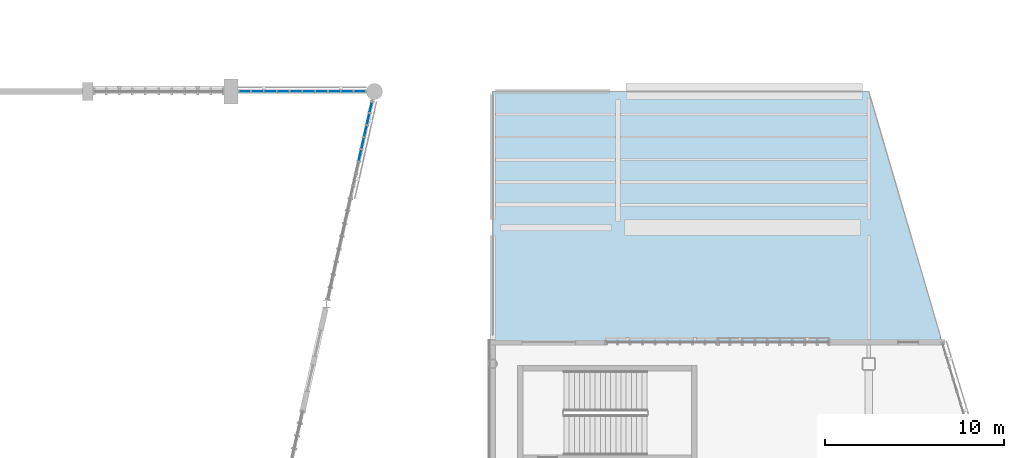
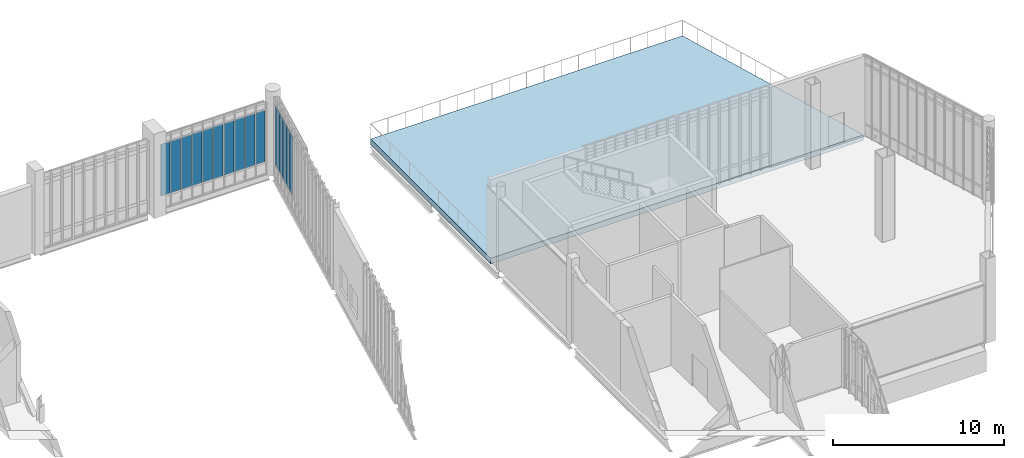
# One storey, part 78 of 135: 15 plates, 1 slab, 2 elements without a shape of their own.
"""IFC4 building model written with IfcOpenShell, lengths in metres."""

import ifcopenshell
import ifcopenshell.guid

model = None  # the IFC model being written
_history = None  # IfcOwnerHistory: only IFC2X3 demands one
_inside = {}  # id of a spatial element -> (the spatial element, [elements in it])
_under = {}  # id of a project, library or spatial element -> (it, [spatial elements below it])
_declared = {}  # id of a project -> (the project, [libraries it declares])
_typed = {}  # id of a type object -> (the type object, [elements of that type])
_made_of = {}  # id of a material, layer set ... -> (it, [elements and type objects made of it])


def new_model(schema):
    """Start an empty IFC model of exactly this schema.

    Asked for "IFC4X3", IfcOpenShell would pick the latest addendum, in which some entities
    have other attributes; the version numbers below select the first issue.
    IFC2X3 requires an IfcOwnerHistory on every rooted entity: one is made here for all.
    """
    global model, _history
    if schema == "IFC4X3":
        model = ifcopenshell.file(schema_version=(4, 3, 0, 0))
    else:
        model = ifcopenshell.file(schema=schema)
    _inside.clear()
    _under.clear()
    _declared.clear()
    _typed.clear()
    _made_of.clear()
    _history = None
    if model.schema == "IFC2X3":
        org = make("IfcOrganization", Name="unknown")
        user = make(
            "IfcPersonAndOrganization",
            ThePerson=make("IfcPerson", FamilyName="unknown"),
            TheOrganization=org,
        )
        app = make(
            "IfcApplication",
            ApplicationDeveloper=org,
            Version="unknown",
            ApplicationFullName="unknown",
            ApplicationIdentifier="unknown",
        )
        _history = make(
            "IfcOwnerHistory",
            OwningUser=user,
            OwningApplication=app,
            ChangeAction="ADDED",
            CreationDate=0,
        )
    return model


def make(cls, **values):
    """One entity of the class cls with the attributes given. An attribute that is None is left unset."""
    return model.create_entity(
        cls, **{name: value for name, value in values.items() if value is not None}
    )


def rooted(cls, **values):
    """An entity with a GlobalId (a new one), such as an element, a storey or a relation."""
    return make(cls, GlobalId=ifcopenshell.guid.new(), OwnerHistory=_history, **values)


def si_unit(unit_type, name, prefix=None):
    """IfcSIUnit, for example si_unit("LENGTHUNIT", "METRE", prefix="MILLI")."""
    return make("IfcSIUnit", UnitType=unit_type, Prefix=prefix, Name=name)


def assignment(units):
    """IfcUnitAssignment: the units of a project."""
    return None if units is None else make("IfcUnitAssignment", Units=units)


def point(xyz):
    """IfcCartesianPoint."""
    return None if xyz is None else make("IfcCartesianPoint", Coordinates=xyz)


def direction(xyz):
    """IfcDirection."""
    return None if xyz is None else make("IfcDirection", DirectionRatios=xyz)


def frame(location, z_axis=None, x_axis=None):
    """IfcAxis2Placement3D, a coordinate frame: its origin and axes. An axis left out is left unset."""
    return make(
        "IfcAxis2Placement3D",
        Location=point(location),
        Axis=direction(z_axis),
        RefDirection=direction(x_axis),
    )


def frame_2d(location, x_axis=None):
    """IfcAxis2Placement2D, a coordinate frame in the plane: its origin and x axis."""
    return make(
        "IfcAxis2Placement2D", Location=point(location), RefDirection=direction(x_axis)
    )


def origin():
    """The frame at (0, 0, 0) with its axes left unset."""
    return frame((0.0, 0.0, 0.0))


def origin_2d():
    """The frame at (0, 0) in the plane with its x axis left unset."""
    return frame_2d((0.0, 0.0))


def place(relative_to, where):
    """IfcLocalPlacement: puts the frame where relative to a parent placement (None: the world)."""
    return make(
        "IfcLocalPlacement", PlacementRelTo=relative_to, RelativePlacement=where
    )


def context(
    kind, dimensions, precision=None, world=None, true_north=None, identifier=None
):
    """IfcGeometricRepresentationContext, for example the 3D "Model" context."""
    return make(
        "IfcGeometricRepresentationContext",
        ContextIdentifier=identifier,
        ContextType=kind,
        CoordinateSpaceDimension=dimensions,
        Precision=precision,
        WorldCoordinateSystem=world,
        TrueNorth=true_north,
    )


def subcontext(parent, identifier, kind, view, scale=None):
    """IfcGeometricRepresentationSubContext, for example "Body" below "Model"."""
    return make(
        "IfcGeometricRepresentationSubContext",
        ContextIdentifier=identifier,
        ContextType=kind,
        ParentContext=parent,
        TargetScale=scale,
        TargetView=view,
    )


def project(units=None, contexts=None):
    """IfcProject with its units and contexts."""
    return rooted(
        "IfcProject",
        Name="project",
        RepresentationContexts=contexts,
        UnitsInContext=assignment(units),
    )


def spatial(cls, under=None, at=None, **own):
    """A site, building, storey or space (cls), placed at a placement, below another one or the project."""
    s = rooted(cls, ObjectPlacement=at, **own)
    if under is not None:
        _under.setdefault(under.id(), (under, []))[1].append(s)
    return s


def polyline(points):
    """IfcPolyline through the points."""
    return make("IfcPolyline", Points=[point(p) for p in points])


def profile(cls, at=None, kind="AREA", **sizes):
    """A parametric profile (cls). Its sizes go by their IFC names, for example OverallWidth=200.0."""
    return make(cls, ProfileType=kind, Position=at, **sizes)


def rectangle(**sizes):
    """IfcRectangleProfileDef."""
    return profile("IfcRectangleProfileDef", **sizes)


def outline(outer, holes=None, kind="AREA"):
    """IfcArbitraryClosedProfileDef: a profile drawn as a closed curve; with holes, ...WithVoids."""
    if holes is None:
        return make("IfcArbitraryClosedProfileDef", ProfileType=kind, OuterCurve=outer)
    return make(
        "IfcArbitraryProfileDefWithVoids",
        ProfileType=kind,
        OuterCurve=outer,
        InnerCurves=holes,
    )


def extrude(swept, where, along, depth):
    """IfcExtrudedAreaSolid: the profile swept, set in the frame where, extruded along a direction by depth."""
    return make(
        "IfcExtrudedAreaSolid",
        SweptArea=swept,
        Position=where,
        ExtrudedDirection=direction(along),
        Depth=depth,
    )


def shape(context_of_items, identifier, shape_type, items):
    """IfcShapeRepresentation: the items that make up one representation, for example the "Body"."""
    return make(
        "IfcShapeRepresentation",
        ContextOfItems=context_of_items,
        RepresentationIdentifier=identifier,
        RepresentationType=shape_type,
        Items=items,
    )


def material(Name=None, Category=None):
    """IfcMaterial."""
    return make("IfcMaterial", Name=Name, Category=Category)


def layer(
    of_material, thickness, ventilated=None, Name=None, Category=None, Priority=None
):
    """IfcMaterialLayer: one layer of a wall or slab, of a material (None: an air gap)."""
    return make(
        "IfcMaterialLayer",
        Material=of_material,
        LayerThickness=thickness,
        IsVentilated=ventilated,
        Name=Name,
        Category=Category,
        Priority=Priority,
    )


def layer_set(layers, Name=None):
    """IfcMaterialLayerSet."""
    return make("IfcMaterialLayerSet", MaterialLayers=layers, LayerSetName=Name)


def made_of(thing, what):
    """Note that an element or type object is made of a material, layer set ...; save() writes the relation."""
    if what is not None:
        _made_of.setdefault(what.id(), (what, []))[1].append(thing)
    return thing


def type_object(cls, material=None, **own):
    """A type object (cls), such as IfcWallType, which elements share."""
    return made_of(rooted(cls, **own), material)


def element(
    cls,
    number,
    at=None,
    inside=None,
    cuts=None,
    type_object=None,
    material=None,
    context=None,
    identifier="Body",
    shape_type=None,
    held_by="IfcProductDefinitionShape",
    body=None,
    shapes=None,
    **own,
):
    """One element of the class cls, such as IfcWall. Its Tag is "e" and its number.

    at: its placement. inside: the storey or other place that contains it. cuts: it is an
    opening in that element (IfcRelVoidsElement). A single representation is given by context,
    identifier, shape_type and body (its items); several are given by shapes. held_by: the class
    of the entity that holds the representations. save() writes the other relations.
    """
    e = rooted(cls, Tag="e%d" % number, ObjectPlacement=at, **own)
    if body is not None:
        shapes = [shape(context, identifier, shape_type, body)]
    if shapes is not None:
        e.Representation = make(held_by, Representations=shapes)
    if inside is not None:
        _inside.setdefault(inside.id(), (inside, []))[1].append(e)
    if cuts is not None:
        rooted(
            "IfcRelVoidsElement", RelatingBuildingElement=cuts, RelatedOpeningElement=e
        )
    if type_object is not None:
        _typed.setdefault(type_object.id(), (type_object, []))[1].append(e)
    return made_of(e, material)


def aggregate(whole, parts):
    """IfcRelAggregates: a whole, such as a stair, and the parts it consists of."""
    return rooted("IfcRelAggregates", RelatingObject=whole, RelatedObjects=parts)


def save(model, path):
    """Write the relations noted so far, then the file.

    IfcRelAggregates (storeys below a building ...), IfcRelContainedInSpatialStructure (elements
    in a storey), IfcRelDefinesByType, IfcRelAssociatesMaterial and IfcRelDeclares: one each for
    every whole, place, type object, material and project.
    """
    for whole, parts in _under.values():
        aggregate(whole, parts)
    for where, things in _inside.values():
        rooted(
            "IfcRelContainedInSpatialStructure",
            RelatedElements=things,
            RelatingStructure=where,
        )
    for kind, things in _typed.values():
        rooted("IfcRelDefinesByType", RelatedObjects=things, RelatingType=kind)
    for what, things in _made_of.values():
        rooted("IfcRelAssociatesMaterial", RelatedObjects=things, RelatingMaterial=what)
    for by, libraries in _declared.values():
        rooted("IfcRelDeclares", RelatingContext=by, RelatedDefinitions=libraries)
    model.write(path)


model = new_model("IFC4")

# Units and contexts
model_context = context("Model", 3, precision=1e-05, world=origin(), true_north=direction((0.0, 1.0)))
body_context = subcontext(model_context, "Body", "Model", "MODEL_VIEW")
ifc_project = project(units=[si_unit("LENGTHUNIT", "METRE"), si_unit("AREAUNIT", "SQUARE_METRE"), si_unit("VOLUMEUNIT", "CUBIC_METRE"), si_unit("PLANEANGLEUNIT", "RADIAN"), si_unit("MASSUNIT", "GRAM", prefix="KILO")], contexts=[model_context])

# Site, building, storey
site_placement = place(None, origin())
site = spatial("IfcSite", under=ifc_project, at=site_placement, CompositionType="ELEMENT")
building_placement = place(site_placement, origin())
building = spatial("IfcBuilding", under=site, at=building_placement, Name="Larkvane Passage Sports Hall", CompositionType="ELEMENT")
storey_placement = place(building_placement, frame((0.0, 0.0, 10.800048828125)))
storey = spatial("IfcBuildingStorey", under=building, at=storey_placement, Name="L02", CompositionType="ELEMENT", Elevation=10.800048828125)

# Curtain wall, plates
ifc_material_1 = material(Name="Thermally broken aluminium and low-E glazing", Category="aluminium")
curtain_wall_type_1 = type_object("IfcCurtainWallType", Name="CW-UNIT-COURT", PredefinedType="USERDEFINED", material=ifc_material_1)
curtain_wall_1_placement = place(storey_placement, origin())
curtain_wall_1 = element("IfcCurtainWall", 1, at=curtain_wall_1_placement, inside=storey, type_object=curtain_wall_type_1, Name="Curtain wall CW5-L02-080", ObjectType="UNITISED CURTAIN WALL", PredefinedType="USERDEFINED")
ifc_material_2 = material(Name="Solar-control low-E double glazing", Category="glass")
ifc_layer_1 = layer(ifc_material_2, 0.028076171875)
ifc_layer_set_1 = layer_set([ifc_layer_1], Name="Solar-control low-E double glazing")
plate_type_1 = type_object("IfcPlateType", Name="CWP-VIS-28", PredefinedType="CURTAIN_PANEL", material=ifc_layer_set_1)
plate_1_placement = place(storey_placement, frame((110.770263671875, 99.199951171875, 0.88232421875), z_axis=(0.0, 0.0, 1.0), x_axis=(1.0, 0.0, 0.0)))
plate_1 = element("IfcPlate", 2, at=plate_1_placement, type_object=plate_type_1, Name="CW-01 panel 1.2", PredefinedType="CURTAIN_PANEL", context=body_context, shape_type="SweptSolid", body=[
    extrude(rectangle(XDim=0.618408203125, YDim=0.028076171875, at=origin_2d()), origin(), (0.0, 0.0, 1.0), 3.68310546875),
])
plate_2_placement = place(storey_placement, frame((111.4697265625, 99.199951171875, 0.88232421875), z_axis=(0.0, 0.0, 1.0), x_axis=(1.0, 0.0, 0.0)))
plate_2 = element("IfcPlate", 3, at=plate_2_placement, type_object=plate_type_1, Name="CW-01 panel 2.2", PredefinedType="CURTAIN_PANEL", context=body_context, shape_type="SweptSolid", body=[
    extrude(rectangle(XDim=0.65087890625, YDim=0.028076171875, at=origin_2d()), origin(), (0.0, 0.0, 1.0), 3.68310546875),
])
plate_3_placement = place(storey_placement, frame((112.185546875, 99.199951171875, 0.88232421875), z_axis=(0.0, 0.0, 1.0), x_axis=(1.0, 0.0, 0.0)))
plate_3 = element("IfcPlate", 4, at=plate_3_placement, type_object=plate_type_1, Name="CW-01 panel 3.2", PredefinedType="CURTAIN_PANEL", context=body_context, shape_type="SweptSolid", body=[
    extrude(rectangle(XDim=0.65087890625, YDim=0.028076171875, at=origin_2d()), origin(), (0.0, 0.0, 1.0), 3.68310546875),
])
plate_4_placement = place(storey_placement, frame((112.9013671875, 99.199951171875, 0.88232421875), z_axis=(0.0, 0.0, 1.0), x_axis=(1.0, 0.0, 0.0)))
plate_4 = element("IfcPlate", 5, at=plate_4_placement, type_object=plate_type_1, Name="CW-01 panel 4.2", PredefinedType="CURTAIN_PANEL", context=body_context, shape_type="SweptSolid", body=[
    extrude(rectangle(XDim=0.65087890625, YDim=0.028076171875, at=origin_2d()), origin(), (0.0, 0.0, 1.0), 3.68310546875),
])
plate_5_placement = place(storey_placement, frame((113.6171875, 99.199951171875, 0.88232421875), z_axis=(0.0, 0.0, 1.0), x_axis=(1.0, 0.0, 0.0)))
plate_5 = element("IfcPlate", 6, at=plate_5_placement, type_object=plate_type_1, Name="CW-01 panel 5.2", PredefinedType="CURTAIN_PANEL", context=body_context, shape_type="SweptSolid", body=[
    extrude(rectangle(XDim=0.65087890625, YDim=0.028076171875, at=origin_2d()), origin(), (0.0, 0.0, 1.0), 3.68310546875),
])
plate_6_placement = place(storey_placement, frame((114.3330078125, 99.199951171875, 0.88232421875), z_axis=(0.0, 0.0, 1.0), x_axis=(1.0, 0.0, 0.0)))
plate_6 = element("IfcPlate", 7, at=plate_6_placement, type_object=plate_type_1, Name="CW-01 panel 6.2", PredefinedType="CURTAIN_PANEL", context=body_context, shape_type="SweptSolid", body=[
    extrude(rectangle(XDim=0.65087890625, YDim=0.028076171875, at=origin_2d()), origin(), (0.0, 0.0, 1.0), 3.68310546875),
])
plate_7_placement = place(storey_placement, frame((115.048583984375, 99.199951171875, 0.88232421875), z_axis=(0.0, 0.0, 1.0), x_axis=(1.0, 0.0, 0.0)))
plate_7 = element("IfcPlate", 8, at=plate_7_placement, type_object=plate_type_1, Name="CW-01 panel 7.2", PredefinedType="CURTAIN_PANEL", context=body_context, shape_type="SweptSolid", body=[
    extrude(rectangle(XDim=0.65087890625, YDim=0.028076171875, at=origin_2d()), origin(), (0.0, 0.0, 1.0), 3.68310546875),
])
plate_8_placement = place(storey_placement, frame((115.764404296875, 99.199951171875, 0.88232421875), z_axis=(0.0, 0.0, 1.0), x_axis=(1.0, 0.0, 0.0)))
plate_8 = element("IfcPlate", 9, at=plate_8_placement, type_object=plate_type_1, Name="CW-01 panel 8.2", PredefinedType="CURTAIN_PANEL", context=body_context, shape_type="SweptSolid", body=[
    extrude(rectangle(XDim=0.65087890625, YDim=0.028076171875, at=origin_2d()), origin(), (0.0, 0.0, 1.0), 3.68310546875),
])
plate_9_placement = place(storey_placement, frame((116.480224609375, 99.199951171875, 0.88232421875), z_axis=(0.0, 0.0, 1.0), x_axis=(1.0, 0.0, 0.0)))
plate_9 = element("IfcPlate", 10, at=plate_9_placement, type_object=plate_type_1, Name="CW-01 panel 9.2", PredefinedType="CURTAIN_PANEL", context=body_context, shape_type="SweptSolid", body=[
    extrude(rectangle(XDim=0.65087890625, YDim=0.028076171875, at=origin_2d()), origin(), (0.0, 0.0, 1.0), 3.68310546875),
])
plate_10_placement = place(storey_placement, frame((117.179931640625, 99.199951171875, 0.88232421875), z_axis=(0.0, 0.0, 1.0), x_axis=(1.0, 0.0, 0.0)))
plate_10 = element("IfcPlate", 11, at=plate_10_placement, type_object=plate_type_1, Name="CW-01 panel 10.2", PredefinedType="CURTAIN_PANEL", context=body_context, shape_type="SweptSolid", body=[
    extrude(rectangle(XDim=0.618408203125, YDim=0.028076171875, at=origin_2d()), origin(), (0.0, 0.0, 1.0), 3.68310546875),
])
aggregate(curtain_wall_1, [plate_1, plate_2, plate_3, plate_4, plate_5, plate_6, plate_7, plate_8, plate_9, plate_10])

curtain_wall_type_2 = type_object("IfcCurtainWallType", Name="CW-UNIT-VEIL", PredefinedType="USERDEFINED", material=ifc_material_1)
curtain_wall_2_placement = place(storey_placement, origin())
curtain_wall_2 = element("IfcCurtainWall", 12, at=curtain_wall_2_placement, inside=storey, type_object=curtain_wall_type_2, Name="Curtain wall CW5-L02-081", ObjectType="UNITISED CURTAIN WALL", PredefinedType="USERDEFINED")
ifc_material_3 = material(Name="Laminated acoustic low-E glazing", Category="glass")
ifc_layer_2 = layer(ifc_material_3, 0.031982421875)
ifc_layer_set_2 = layer_set([ifc_layer_2], Name="Laminated acoustic low-E glazing")
plate_type_2 = type_object("IfcPlateType", Name="CWP-VIS-32", PredefinedType="CURTAIN_PANEL", material=ifc_layer_set_2)
plate_11_placement = place(storey_placement, frame((117.802734375, 98.322509765625, 0.887451171875), z_axis=(0.0, 0.0, 1.0), x_axis=(-0.219257496416, -0.975667028379, 0.0)))
plate_11 = element("IfcPlate", 13, at=plate_11_placement, type_object=plate_type_2, Name="CW-02 panel 1.2", PredefinedType="CURTAIN_PANEL", context=body_context, shape_type="SweptSolid", body=[
    extrude(rectangle(XDim=0.581298828125, YDim=0.031982421875, at=origin_2d()), origin(), (0.0, 0.0, 1.0), 4.22509765625),
])
plate_12_placement = place(storey_placement, frame((117.65478515625, 97.6640625, 0.887451171875), z_axis=(0.0, 0.0, 1.0), x_axis=(-0.219257496416, -0.975667028379, 0.0)))
plate_12 = element("IfcPlate", 14, at=plate_12_placement, type_object=plate_type_2, Name="CW-02 panel 2.2", PredefinedType="CURTAIN_PANEL", context=body_context, shape_type="SweptSolid", body=[
    extrude(rectangle(XDim=0.61865234375, YDim=0.031982421875, at=origin_2d()), origin(), (0.0, 0.0, 1.0), 4.22509765625),
])
plate_13_placement = place(storey_placement, frame((117.502685546875, 96.9873046875, 0.887451171875), z_axis=(0.0, 0.0, 1.0), x_axis=(-0.219257496416, -0.975667028379, 0.0)))
plate_13 = element("IfcPlate", 15, at=plate_13_placement, type_object=plate_type_2, Name="CW-02 panel 3.2", PredefinedType="CURTAIN_PANEL", context=body_context, shape_type="SweptSolid", body=[
    extrude(rectangle(XDim=0.61865234375, YDim=0.031982421875, at=origin_2d()), origin(), (0.0, 0.0, 1.0), 4.22509765625),
])
plate_14_placement = place(storey_placement, frame((117.3505859375, 96.310302734375, 0.887451171875), z_axis=(0.0, 0.0, 1.0), x_axis=(-0.219257496416, -0.975667028379, 0.0)))
plate_14 = element("IfcPlate", 16, at=plate_14_placement, type_object=plate_type_2, Name="CW-02 panel 4.2", PredefinedType="CURTAIN_PANEL", context=body_context, shape_type="SweptSolid", body=[
    extrude(rectangle(XDim=0.61865234375, YDim=0.031982421875, at=origin_2d()), origin(), (0.0, 0.0, 1.0), 4.22509765625),
])
plate_15_placement = place(storey_placement, frame((117.198486328125, 95.633544921875, 0.887451171875), z_axis=(0.0, 0.0, 1.0), x_axis=(-0.219257496416, -0.975667028379, 0.0)))
plate_15 = element("IfcPlate", 17, at=plate_15_placement, type_object=plate_type_2, Name="CW-02 panel 5.2", PredefinedType="CURTAIN_PANEL", context=body_context, shape_type="SweptSolid", body=[
    extrude(rectangle(XDim=0.61865234375, YDim=0.031982421875, at=origin_2d()), origin(), (0.0, 0.0, 1.0), 4.22509765625),
])
aggregate(curtain_wall_2, [plate_11, plate_12, plate_13, plate_14, plate_15])

# Slab
ifc_material_4 = material(Name="Concrete C40/50", Category="concrete")
ifc_layer_3 = layer(ifc_material_4, 0.39990234375)
ifc_layer_set_3 = layer_set([ifc_layer_3], Name="Concrete C40/50")
slab_type = type_object("IfcSlabType", Name="SLB-TER-235", PredefinedType="FLOOR", material=ifc_layer_set_3)
slab_placement = place(storey_placement, frame((0.0, 0.0, -0.400146484375)))
element("IfcSlab", 18, at=slab_placement, inside=storey, type_object=slab_type, Name="Exterior terrace deck SLAB-EXT-L02-POOL", PredefinedType="FLOOR", context=body_context, shape_type="SweptSolid", body=[
    extrude(outline(polyline([(124.60009765625, 85.199951171875), (149.699951171875, 85.199951171875), (145.60009765625, 99.199951171875), (124.60009765625, 99.199951171875), (124.60009765625, 85.199951171875)])), origin(), (0.0, 0.0, 1.0), 0.400146484375),
])

save(model, "model.ifc")
